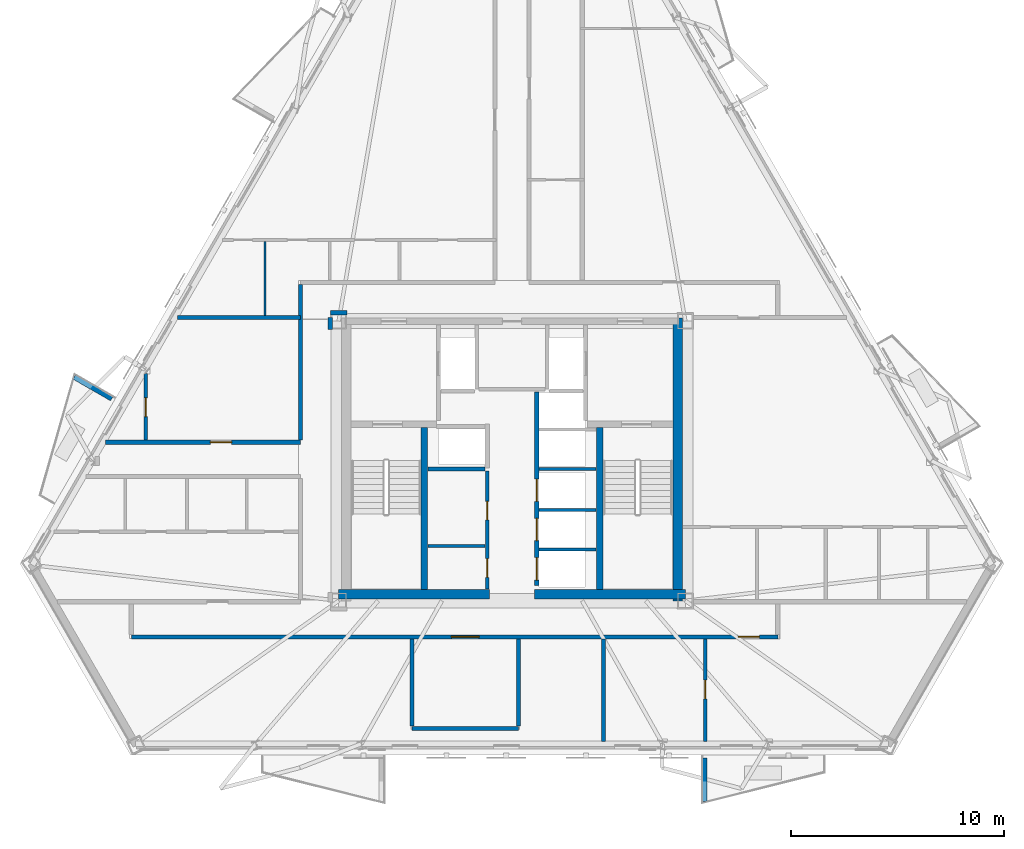
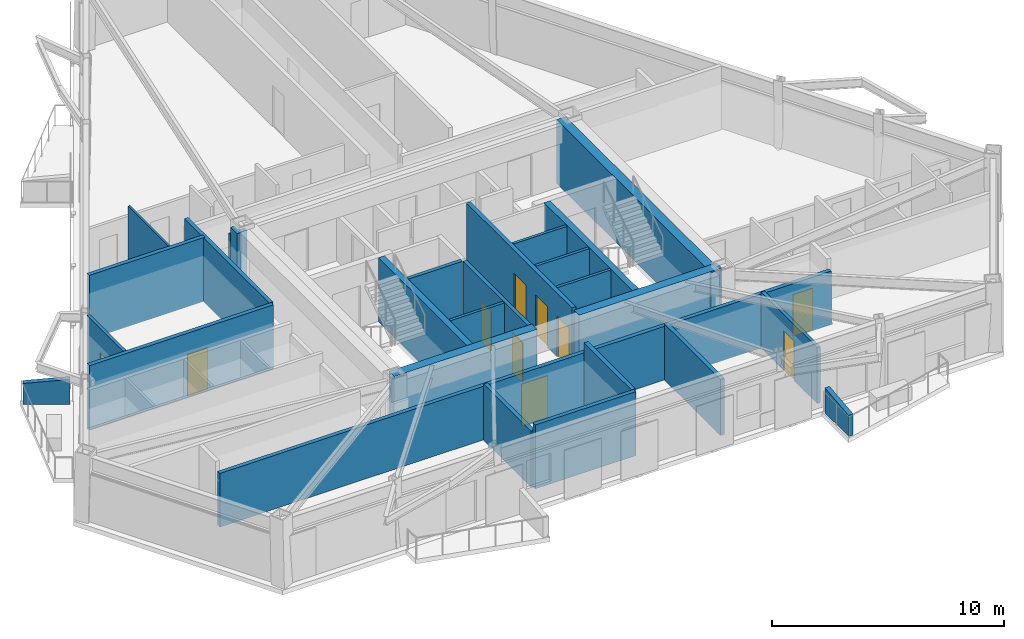
# One storey, part 3 of 9: 27 walls, 10 doors, 10 openings.
"""IFC4 building model written with IfcOpenShell, lengths in metres."""

from ifc_helpers import new_model, si_unit, direction, frame, frame_2d, origin, place, context, subcontext, project, spatial, polyline, rectangle, outline, extrude, material, layer, layer_set, type_object, element, fill, save


model = new_model("IFC4")

# Units and contexts
model_context = context("Model", 3, precision=1e-05, world=origin(), true_north=direction((0.0, 1.0)))
body_context = subcontext(model_context, "Body", "Model", "MODEL_VIEW")
ifc_project = project(units=[si_unit("LENGTHUNIT", "METRE"), si_unit("AREAUNIT", "SQUARE_METRE"), si_unit("VOLUMEUNIT", "CUBIC_METRE"), si_unit("PLANEANGLEUNIT", "RADIAN"), si_unit("MASSUNIT", "GRAM", prefix="KILO")], contexts=[model_context])

# Site, building, storey
site_placement = place(None, origin())
site = spatial("IfcSite", under=ifc_project, at=site_placement, CompositionType="ELEMENT")
building_placement = place(site_placement, origin())
building = spatial("IfcBuilding", under=site, at=building_placement, Name="Oramaril Tower", CompositionType="ELEMENT")
storey_placement = place(building_placement, frame((0.0, 0.0, 142.199951171875)))
storey = spatial("IfcBuildingStorey", under=building, at=storey_placement, Name="L37", CompositionType="ELEMENT", Elevation=142.199951171875)

# Walls
ifc_material_1 = material(Name="Concrete C40/50", Category="concrete")
ifc_layer_1 = layer(ifc_material_1, 0.22998046875)
ifc_layer_set_1 = layer_set([ifc_layer_1], Name="WT-PRP23")
wall_type_1 = type_object("IfcWallType", Name="WT-PRP23", PredefinedType="PARAPET", material=ifc_layer_set_1)
for number, where, z_axis, x_axis, name in (
    (1, (46.562744140625, 3.60205078125, 0.0), (0.0, 0.0, 1.0), (0.0, -1.0, 0.0), "L37 Trapezoidal Balcony Frame Cheek L37-BAL-S2-L"),
    (2, (18.68115234375, 20.500244140625, 0.0), (0.0, 0.0, 1.0), (-0.866042246008, 0.499970827278, 0.0), "L37 Trapezoidal Balcony Frame Cheek L37-BAL-NW2-L"),
):
    element("IfcWall", number, at=place(storey_placement, frame(where, z_axis=z_axis, x_axis=x_axis)), inside=storey, type_object=wall_type_1, Name=name, PredefinedType="PARAPET", context=body_context, shape_type="SweptSolid", body=[
        extrude(outline(polyline([(0.0, 0.0), (2.0419921875, 0.0), (2.0419921875, 1.10009765625), (0.0, 1.320068359375), (0.0, 0.0)])), frame((0.0, 0.114990234375, 0.0), z_axis=(0.0, -1.0, 0.0), x_axis=(1.0, 0.0, 0.0)), (0.0, 0.0, 1.0), 0.22998046875),
    ])
ifc_material_2 = material(Name="Acoustic Gypsum Board Partition")
ifc_layer_2 = layer(ifc_material_2, 0.10009765625)
ifc_layer_set_2 = layer_set([ifc_layer_2], Name="WT-PT10")
wall_type_2 = type_object("IfcWallType", Name="WT-PT10", PredefinedType="PARTITIONING", material=ifc_layer_set_2)
wall_1_placement = place(storey_placement, frame((25.8798828125, 24.424072265625, 0.0), z_axis=(0.0, 0.0, 1.0), x_axis=(0.0, 1.0, 0.0)))
element("IfcWall", 3, at=wall_1_placement, inside=storey, type_object=wall_type_2, Name="L37 Interior Partition PT-10", PredefinedType="PARTITIONING", context=body_context, shape_type="SweptSolid", body=[
    extrude(rectangle(XDim=3.471923828125, YDim=0.10009765625, at=frame_2d((1.73583984375, 0.0))), origin(), (0.0, 0.0, 1.0), 3.360107421875),
])
ifc_material_3 = material(Name="Acoustic Gypsum Board Partition")
ifc_layer_3 = layer(ifc_material_3, 0.139892578125)
ifc_layer_set_3 = layer_set([ifc_layer_3], Name="WT-PT14")
wall_type_3 = type_object("IfcWallType", Name="WT-PT14", PredefinedType="PARTITIONING", material=ifc_layer_set_3)
for number, where, z_axis, x_axis, name in (
    (4, (33.56005859375, 13.570068359375, 0.0), (0.0, 0.0, 1.0), (1.0, 0.0, 0.0), "L37 Freed Shaft Divider"),
    (5, (38.780029296875, 13.419921875, 0.0), (0.0, 0.0, 1.0), (1.0, 0.0, 0.0), "L37 East Lift Divider"),
    (6, (38.780029296875, 15.27001953125, 0.0), (0.0, 0.0, 1.0), (1.0, 0.0, 0.0), "L37 East Lift Divider"),
    (7, (38.780029296875, 17.199951171875, 0.0), (0.0, 0.0, 1.0), (1.0, 0.0, 0.0), "L37 East Lift Divider"),
):
    element("IfcWall", number, at=place(storey_placement, frame(where, z_axis=z_axis, x_axis=x_axis)), inside=storey, type_object=wall_type_3, Name=name, PredefinedType="PARTITIONING", context=body_context, shape_type="SweptSolid", body=[
        extrude(rectangle(XDim=2.659912109375, YDim=0.139892578125, at=frame_2d((1.330078125, 0.0))), origin(), (0.0, 0.0, 1.0), 3.360107421875),
    ])

# Wall, opening, door
ifc_material_4 = material(Name="Acoustic Gypsum Board Partition")
ifc_layer_4 = layer(ifc_material_4, 0.159912109375)
ifc_layer_set_4 = layer_set([ifc_layer_4], Name="WT-PT16")
wall_type_4 = type_object("IfcWallType", Name="WT-PT16", PredefinedType="PARTITIONING", material=ifc_layer_set_4)
wall_2_placement = place(storey_placement, frame((20.27001953125, 18.553955078125, 0.0), z_axis=(0.0, 0.0, 1.0), x_axis=(0.0, 1.0, 0.0)))
wall_2 = element("IfcWall", 8, at=wall_2_placement, inside=storey, type_object=wall_type_4, Name="L37 Interior Partition PT-16", PredefinedType="PARTITIONING", context=body_context, shape_type="SweptSolid", body=[
    extrude(rectangle(XDim=3.1357421875, YDim=0.159912109375, at=frame_2d((1.56787109375, 0.0))), origin(), (0.0, 0.0, 1.0), 3.360107421875),
])
opening_1_placement = place(wall_2_placement, frame((1.11083984375, 0.0, 0.0)))
opening_1 = element("IfcOpeningElement", 9, at=opening_1_placement, cuts=wall_2, Name="Opening D-L37-22", PredefinedType="OPENING", context=body_context, shape_type="SweptSolid", body=[
    extrude(rectangle(XDim=0.8798828125, YDim=2.080078125, at=frame_2d((0.43994140625, 1.0400390625))), frame((0.0, 0.080078125, 0.0), z_axis=(0.0, -1.0, 0.0), x_axis=(1.0, 0.0, 0.0)), (0.0, 0.0, 1.0), 0.159912109375),
])
ifc_material_5 = material(Name="FSC Brazilian Freijo Hardwood", Category="wood")
door_type_1 = type_object("IfcDoorType", Name="DT-BATH", OperationType="NOTDEFINED", PredefinedType="DOOR", material=ifc_material_5)
door_1_placement = place(opening_1_placement, origin())
door_1 = element("IfcDoor", 10, at=door_1_placement, inside=storey, type_object=door_type_1, Name="L37 Flat L37-U4 Bathroom Door D-L37-22", OperationType="SINGLE_SWING_LEFT", OverallHeight=2.080078125, OverallWidth=0.8798828125, PredefinedType="DOOR", context=body_context, shape_type="SweptSolid", body=[
    extrude(rectangle(XDim=0.8798828125, YDim=2.080078125, at=frame_2d((0.43994140625, 1.0400390625))), frame((0.0, 0.02490234375, 0.0), z_axis=(0.0, -1.0, 0.0), x_axis=(1.0, 0.0, 0.0)), (0.0, 0.0, 1.0), 0.050048828125),
])
fill(opening_1, door_1)

wall_3_placement = place(storey_placement, frame((46.590087890625, 4.3740234375, 0.0), z_axis=(0.0, 0.0, 1.0), x_axis=(0.0, 1.0, 0.0)))
wall_3 = element("IfcWall", 11, at=wall_3_placement, inside=storey, type_object=wall_type_4, Name="L37 Interior Partition PT-16", PredefinedType="PARTITIONING", context=body_context, shape_type="SweptSolid", body=[
    extrude(rectangle(XDim=4.822021484375, YDim=0.159912109375, at=frame_2d((2.4111328125, 0.0))), origin(), (0.0, 0.0, 1.0), 2.946044921875),
])
opening_2_placement = place(wall_3_placement, frame((2.010986328125, 0.0, 0.0)))
opening_2 = element("IfcOpeningElement", 12, at=opening_2_placement, cuts=wall_3, Name="Opening D-L37-25", PredefinedType="OPENING", context=body_context, shape_type="SweptSolid", body=[
    extrude(rectangle(XDim=0.8798828125, YDim=2.080078125, at=frame_2d((0.43994140625, 1.0400390625))), frame((0.0, 0.080078125, 0.0), z_axis=(0.0, -1.0, 0.0), x_axis=(1.0, 0.0, 0.0)), (0.0, 0.0, 1.0), 0.159912109375),
])
door_2_placement = place(opening_2_placement, origin())
door_2 = element("IfcDoor", 13, at=door_2_placement, inside=storey, type_object=door_type_1, Name="L37 Flat L37-U2 Bathroom Door D-L37-25", OperationType="SINGLE_SWING_RIGHT", OverallHeight=2.080078125, OverallWidth=0.8798828125, PredefinedType="DOOR", context=body_context, shape_type="SweptSolid", body=[
    extrude(rectangle(XDim=0.8798828125, YDim=2.080078125, at=frame_2d((0.43994140625, 1.0400390625))), frame((0.0, 0.02490234375, 0.0), z_axis=(0.0, -1.0, 0.0), x_axis=(1.0, 0.0, 0.0)), (0.0, 0.0, 1.0), 0.050048828125),
])
fill(opening_2, door_2)

# Wall
ifc_material_6 = material(Name="Autoclaved Cellular Concrete Block", Category="concrete")
ifc_layer_5 = layer(ifc_material_6, 0.179931640625)
ifc_layer_set_5 = layer_set([ifc_layer_5], Name="WT-PT18")
wall_type_5 = type_object("IfcWallType", Name="WT-PT18", PredefinedType="PARTITIONING", material=ifc_layer_set_5)
wall_4_placement = place(storey_placement, frame((33.56005859375, 17.199951171875, 0.0), z_axis=(0.0, 0.0, 1.0), x_axis=(1.0, 0.0, 0.0)))
element("IfcWall", 14, at=wall_4_placement, inside=storey, type_object=wall_type_5, Name="L37 High-Rise Lift H1 South Wall", PredefinedType="PARTITIONING", context=body_context, shape_type="SweptSolid", body=[
    extrude(rectangle(XDim=2.659912109375, YDim=0.179931640625, at=frame_2d((1.330078125, 0.0))), origin(), (0.0, 0.0, 1.0), 3.360107421875),
])

# Wall, openings, doors
wall_5_placement = place(storey_placement, frame((36.340087890625, 11.550048828125, 0.0), z_axis=(0.0, 0.0, 1.0), x_axis=(0.0, 1.0, 0.0)))
wall_5 = element("IfcWall", 15, at=wall_5_placement, inside=storey, type_object=wall_type_5, Name="L37 Freed Shaft Study East Wall", PredefinedType="PARTITIONING", context=body_context, shape_type="SweptSolid", body=[
    extrude(rectangle(XDim=5.550048828125, YDim=0.179931640625, at=frame_2d((2.77490234375, 0.0))), origin(), (0.0, 0.0, 1.0), 3.360107421875),
])
opening_3_placement = place(wall_5_placement, frame((0.550048828125, 0.0, 0.0)))
opening_3 = element("IfcOpeningElement", 16, at=opening_3_placement, cuts=wall_5, Name="Opening D-L37-FL1", PredefinedType="OPENING", context=body_context, shape_type="SweptSolid", body=[
    extrude(rectangle(XDim=0.8798828125, YDim=2.080078125, at=frame_2d((0.43994140625, 1.0400390625))), frame((0.0, 0.08984375, 0.0), z_axis=(0.0, -1.0, 0.0), x_axis=(1.0, 0.0, 0.0)), (0.0, 0.0, 1.0), 0.179931640625),
])
opening_4_placement = place(wall_5_placement, frame((3.25, 0.0, 0.0)))
opening_4 = element("IfcOpeningElement", 17, at=opening_4_placement, cuts=wall_5, Name="Opening D-L37-FL2", PredefinedType="OPENING", context=body_context, shape_type="SweptSolid", body=[
    extrude(rectangle(XDim=0.8798828125, YDim=2.080078125, at=frame_2d((0.43994140625, 1.0400390625))), frame((0.0, 0.08984375, 0.0), z_axis=(0.0, -1.0, 0.0), x_axis=(1.0, 0.0, 0.0)), (0.0, 0.0, 1.0), 0.179931640625),
])
door_3_placement = place(opening_3_placement, origin())
door_3 = element("IfcDoor", 18, at=door_3_placement, inside=storey, type_object=door_type_1, Name="L37 L37 Residents Tasting Dining Nook Door", OperationType="SINGLE_SWING_LEFT", OverallHeight=2.080078125, OverallWidth=0.8798828125, PredefinedType="DOOR", context=body_context, shape_type="SweptSolid", body=[
    extrude(rectangle(XDim=0.8798828125, YDim=2.080078125, at=frame_2d((0.43994140625, 1.0400390625))), frame((0.0, 0.02490234375, 0.0), z_axis=(0.0, -1.0, 0.0), x_axis=(1.0, 0.0, 0.0)), (0.0, 0.0, 1.0), 0.050048828125),
])
fill(opening_3, door_3)
door_4_placement = place(opening_4_placement, origin())
door_4 = element("IfcDoor", 19, at=door_4_placement, inside=storey, type_object=door_type_1, Name="L37 L37 Floor Co-Work Office Door", OperationType="SINGLE_SWING_RIGHT", OverallHeight=2.080078125, OverallWidth=0.8798828125, PredefinedType="DOOR", context=body_context, shape_type="SweptSolid", body=[
    extrude(rectangle(XDim=0.8798828125, YDim=2.080078125, at=frame_2d((0.43994140625, 1.0400390625))), frame((0.0, 0.02490234375, 0.0), z_axis=(0.0, -1.0, 0.0), x_axis=(1.0, 0.0, 0.0)), (0.0, 0.0, 1.0), 0.050048828125),
])
fill(opening_4, door_4)

# Wall
ifc_material_7 = material(Name="Autoclaved Cellular Concrete Block", Category="concrete")
ifc_layer_6 = layer(ifc_material_7, 0.199951171875)
ifc_layer_set_6 = layer_set([ifc_layer_6], Name="WT-PT20")
wall_type_6 = type_object("IfcWallType", Name="WT-PT20", PredefinedType="PARTITIONING", material=ifc_layer_set_6)
wall_6_placement = place(storey_placement, frame((32.800048828125, 5.0, 0.0), z_axis=(0.0, 0.0, 1.0), x_axis=(1.0, 0.0, 0.0)))
element("IfcWall", 20, at=wall_6_placement, inside=storey, type_object=wall_type_6, Name="L37 Interior Partition PT-20", PredefinedType="PARTITIONING", context=body_context, shape_type="SweptSolid", body=[
    extrude(rectangle(XDim=5.0, YDim=0.199951171875, at=frame_2d((2.5, 0.0))), origin(), (0.0, 0.0, 1.0), 3.360107421875),
])

# Wall, openings, doors
wall_7_placement = place(storey_placement, frame((19.60009765625, 9.300048828125, 0.0), z_axis=(0.0, 0.0, 1.0), x_axis=(1.0, 0.0, 0.0)))
wall_7 = element("IfcWall", 21, at=wall_7_placement, inside=storey, type_object=wall_type_6, Name="L37 Interior Partition PT-20", PredefinedType="PARTITIONING", context=body_context, shape_type="SweptSolid", body=[
    extrude(rectangle(XDim=30.39990234375, YDim=0.199951171875, at=frame_2d((15.199951171875, 0.0))), origin(), (0.0, 0.0, 1.0), 2.822021484375),
])
opening_5_placement = place(wall_7_placement, frame((15.050048828125, 0.0, 0.0)))
opening_5 = element("IfcOpeningElement", 22, at=opening_5_placement, cuts=wall_7, Name="Opening D-L37-01", PredefinedType="OPENING", context=body_context, shape_type="SweptSolid", body=[
    extrude(rectangle(XDim=1.300048828125, YDim=2.199951171875, at=frame_2d((0.64990234375, 1.10009765625))), frame((0.0, 0.10009765625, 0.0), z_axis=(0.0, -1.0, 0.0), x_axis=(1.0, 0.0, 0.0)), (0.0, 0.0, 1.0), 0.199951171875),
])
opening_6_placement = place(wall_7_placement, frame((28.534423828125, 0.0, 0.0)))
opening_6 = element("IfcOpeningElement", 23, at=opening_6_placement, cuts=wall_7, Name="Opening D-L37-02", PredefinedType="OPENING", context=body_context, shape_type="SweptSolid", body=[
    extrude(rectangle(XDim=1.0, YDim=2.179931640625, at=frame_2d((0.5, 1.08984375))), frame((0.0, 0.10009765625, 0.0), z_axis=(0.0, -1.0, 0.0), x_axis=(1.0, 0.0, 0.0)), (0.0, 0.0, 1.0), 0.199951171875),
])
ifc_material_8 = material(Name="FSC Brazilian Freijo Hardwood", Category="wood")
door_type_2 = type_object("IfcDoorType", Name="DT-APT", OperationType="NOTDEFINED", PredefinedType="DOOR", material=ifc_material_8)
door_5_placement = place(opening_6_placement, origin())
door_5 = element("IfcDoor", 24, at=door_5_placement, inside=storey, type_object=door_type_2, Name="L37 Flat L37-U2 Kitchen and Studio Apartment Door D-L37-02", OperationType="SINGLE_SWING_LEFT", OverallHeight=2.179931640625, OverallWidth=1.0, PredefinedType="DOOR", context=body_context, shape_type="SweptSolid", body=[
    extrude(rectangle(XDim=1.0, YDim=2.179931640625, at=frame_2d((0.5, 1.08984375))), frame((0.0, 0.02490234375, 0.0), z_axis=(0.0, -1.0, 0.0), x_axis=(1.0, 0.0, 0.0)), (0.0, 0.0, 1.0), 0.050048828125),
])
fill(opening_6, door_5)
ifc_material_9 = material(Name="FSC Brazilian Freijo Hardwood", Category="wood")
door_type_3 = type_object("IfcDoorType", Name="DT-COM", OperationType="NOTDEFINED", PredefinedType="DOOR", material=ifc_material_9)
door_6_placement = place(opening_5_placement, origin())
door_6 = element("IfcDoor", 25, at=door_6_placement, inside=storey, type_object=door_type_3, Name="L37 L37 Residents Floor Meeting Suite Door D-L37-01", OperationType="SINGLE_SWING_RIGHT", OverallHeight=2.199951171875, OverallWidth=1.300048828125, PredefinedType="DOOR", context=body_context, shape_type="SweptSolid", body=[
    extrude(rectangle(XDim=1.300048828125, YDim=2.199951171875, at=frame_2d((0.64990234375, 1.10009765625))), frame((0.0, 0.02490234375, 0.0), z_axis=(0.0, -1.0, 0.0), x_axis=(1.0, 0.0, 0.0)), (0.0, 0.0, 1.0), 0.050048828125),
])
fill(opening_5, door_6)

# Wall, opening, door
wall_8_placement = place(storey_placement, frame((18.388916015625, 18.449951171875, 0.0), z_axis=(0.0, 0.0, 1.0), x_axis=(1.0, 0.0, 0.0)))
wall_8 = element("IfcWall", 26, at=wall_8_placement, inside=storey, type_object=wall_type_6, Name="L37 Interior Partition PT-20", PredefinedType="PARTITIONING", context=body_context, shape_type="SweptSolid", body=[
    extrude(rectangle(XDim=9.1611328125, YDim=0.199951171875, at=frame_2d((4.58056640625, 0.0))), origin(), (0.0, 0.0, 1.0), 3.360107421875),
])
opening_7_placement = place(wall_8_placement, frame((4.926025390625, 0.0, 0.0)))
opening_7 = element("IfcOpeningElement", 27, at=opening_7_placement, cuts=wall_8, Name="Opening D-L37-13", PredefinedType="OPENING", context=body_context, shape_type="SweptSolid", body=[
    extrude(rectangle(XDim=1.0, YDim=2.179931640625, at=frame_2d((0.5, 1.08984375))), frame((0.0, 0.10009765625, 0.0), z_axis=(0.0, -1.0, 0.0), x_axis=(1.0, 0.0, 0.0)), (0.0, 0.0, 1.0), 0.199951171875),
])
door_7_placement = place(opening_7_placement, origin())
door_7 = element("IfcDoor", 28, at=door_7_placement, inside=storey, type_object=door_type_2, Name="L37 Flat L37-U4 Kitchen and Studio Apartment Door D-L37-13", OperationType="SINGLE_SWING_RIGHT", OverallHeight=2.179931640625, OverallWidth=1.0, PredefinedType="DOOR", context=body_context, shape_type="SweptSolid", body=[
    extrude(rectangle(XDim=1.0, YDim=2.179931640625, at=frame_2d((0.5, 1.08984375))), frame((0.0, 0.02490234375, 0.0), z_axis=(0.0, -1.0, 0.0), x_axis=(1.0, 0.0, 0.0)), (0.0, 0.0, 1.0), 0.050048828125),
])
fill(opening_7, door_7)

# Walls
wall_9_placement = place(storey_placement, frame((21.77783203125, 24.320068359375, 0.0), z_axis=(0.0, 0.0, 1.0), x_axis=(1.0, 0.0, 0.0)))
element("IfcWall", 29, at=wall_9_placement, inside=storey, type_object=wall_type_6, Name="L37 Interior Partition PT-20", PredefinedType="PARTITIONING", context=body_context, shape_type="SweptSolid", body=[
    extrude(rectangle(XDim=5.772216796875, YDim=0.199951171875, at=frame_2d((2.88623046875, 0.0))), origin(), (0.0, 0.0, 1.0), 3.360107421875),
])
wall_10_placement = place(storey_placement, frame((28.955078125, 24.550048828125, 0.0), z_axis=(0.0, 0.0, 1.0), x_axis=(1.0, 0.0, 0.0)))
element("IfcWall", 30, at=wall_10_placement, inside=storey, type_object=wall_type_6, Name="L37 Interior Partition PT-20", PredefinedType="PARTITIONING", context=body_context, shape_type="SweptSolid", body=[
    extrude(rectangle(XDim=0.7900390625, YDim=0.199951171875, at=frame_2d((0.39501953125, 0.0))), origin(), (0.0, 0.0, 1.0), 2.822021484375),
])
wall_11_placement = place(storey_placement, frame((27.550048828125, 18.553955078125, 0.0), z_axis=(0.0, 0.0, 1.0), x_axis=(0.0, 1.0, 0.0)))
element("IfcWall", 31, at=wall_11_placement, inside=storey, type_object=wall_type_6, Name="L37 Interior Partition PT-20", PredefinedType="PARTITIONING", context=body_context, shape_type="SweptSolid", body=[
    extrude(rectangle(XDim=7.31201171875, YDim=0.199951171875, at=frame_2d((3.656005859375, 0.0))), origin(), (0.0, 0.0, 1.0), 3.360107421875),
])
wall_12_placement = place(storey_placement, frame((28.949951171875, 23.7548828125, 0.0), z_axis=(0.0, 0.0, 1.0), x_axis=(0.0, 1.0, 0.0)))
element("IfcWall", 32, at=wall_12_placement, inside=storey, type_object=wall_type_6, Name="L37 Interior Partition PT-20", PredefinedType="PARTITIONING", context=body_context, shape_type="SweptSolid", body=[
    extrude(rectangle(XDim=0.565185546875, YDim=0.199951171875, at=frame_2d((0.28271484375, 0.0))), origin(), (0.0, 0.0, 1.0), 3.360107421875),
])
wall_13_placement = place(storey_placement, frame((32.800048828125, 5.10400390625, 0.0), z_axis=(0.0, 0.0, 1.0), x_axis=(0.0, 1.0, 0.0)))
element("IfcWall", 33, at=wall_13_placement, inside=storey, type_object=wall_type_6, Name="L37 Interior Partition PT-20", PredefinedType="PARTITIONING", context=body_context, shape_type="SweptSolid", body=[
    extrude(rectangle(XDim=4.092041015625, YDim=0.199951171875, at=frame_2d((2.0458984375, 0.0))), origin(), (0.0, 0.0, 1.0), 2.946044921875),
])
wall_14_placement = place(storey_placement, frame((37.800048828125, 5.10400390625, 0.0), z_axis=(0.0, 0.0, 1.0), x_axis=(0.0, 1.0, 0.0)))
element("IfcWall", 34, at=wall_14_placement, inside=storey, type_object=wall_type_6, Name="L37 Interior Partition PT-20", PredefinedType="PARTITIONING", context=body_context, shape_type="SweptSolid", body=[
    extrude(rectangle(XDim=4.092041015625, YDim=0.199951171875, at=frame_2d((2.0458984375, 0.0))), origin(), (0.0, 0.0, 1.0), 3.360107421875),
])
wall_15_placement = place(storey_placement, frame((41.800048828125, 4.3740234375, 0.0), z_axis=(0.0, 0.0, 1.0), x_axis=(0.0, 1.0, 0.0)))
element("IfcWall", 35, at=wall_15_placement, inside=storey, type_object=wall_type_6, Name="L37 Interior Partition PT-20", PredefinedType="PARTITIONING", context=body_context, shape_type="SweptSolid", body=[
    extrude(rectangle(XDim=4.822021484375, YDim=0.199951171875, at=frame_2d((2.4111328125, 0.0))), origin(), (0.0, 0.0, 1.0), 2.946044921875),
])
ifc_material_10 = material(Name="Concrete C50/60", Category="concrete")
ifc_layer_7 = layer(ifc_material_10, 0.300048828125)
ifc_layer_set_7 = layer_set([ifc_layer_7], Name="WT-SH30")
wall_type_7 = type_object("IfcWallType", Name="WT-SH30", PredefinedType="SHEAR", material=ifc_layer_set_7)
for number, where, z_axis, x_axis, name in (
    (36, (33.3798828125, 11.5400390625, 0.0), (0.0, 0.0, 1.0), (0.0, 1.0, 0.0), "L37 Core Shear Wall CW-ST1E"),
    (37, (41.6201171875, 11.5400390625, 0.0), (0.0, 0.0, 1.0), (0.0, 1.0, 0.0), "L37 Core Shear Wall CW-ST2W"),
):
    element("IfcWall", number, at=place(storey_placement, frame(where, z_axis=z_axis, x_axis=x_axis)), inside=storey, type_object=wall_type_7, Name=name, PredefinedType="SHEAR", context=body_context, shape_type="SweptSolid", body=[
        extrude(rectangle(XDim=7.619873046875, YDim=0.300048828125, at=frame_2d((3.81005859375, 0.0))), origin(), (0.0, 0.0, 1.0), 3.360107421875),
    ])
ifc_material_11 = material(Name="Concrete C50/60", Category="concrete")
ifc_layer_8 = layer(ifc_material_11, 0.449951171875)
ifc_layer_set_8 = layer_set([ifc_layer_8], Name="WT-SH45")
wall_type_8 = type_object("IfcWallType", Name="WT-SH45", PredefinedType="SHEAR", material=ifc_layer_set_8)
wall_16_placement = place(storey_placement, frame((45.284912109375, 11.0, 0.0), z_axis=(0.0, 0.0, 1.0), x_axis=(0.0, 1.0, 0.0)))
element("IfcWall", 38, at=wall_16_placement, inside=storey, type_object=wall_type_8, Name="L37 Core Shear Wall CW-E", PredefinedType="SHEAR", context=body_context, shape_type="SweptSolid", body=[
    extrude(rectangle(XDim=13.300048828125, YDim=0.449951171875, at=frame_2d((6.64990234375, 0.0))), origin(), (0.0, 0.0, 1.0), 3.360107421875),
])
for number, where, z_axis, x_axis, name in (
    (39, (29.35009765625, 11.31494140625, 0.0), (0.0, 0.0, 1.0), (1.0, 0.0, 0.0), "L37 Core Shear Wall CW-SW"),
    (40, (38.550048828125, 11.31494140625, 0.0), (0.0, 0.0, 1.0), (1.0, 0.0, 0.0), "L37 Core Shear Wall CW-SE"),
):
    element("IfcWall", number, at=place(storey_placement, frame(where, z_axis=z_axis, x_axis=x_axis)), inside=storey, type_object=wall_type_8, Name=name, PredefinedType="SHEAR", context=body_context, shape_type="SweptSolid", body=[
        extrude(rectangle(XDim=7.099853515625, YDim=0.449951171875, at=frame_2d((3.5498046875, 0.0))), origin(), (0.0, 0.0, 1.0), 3.360107421875),
    ])

# Wall, openings, doors
ifc_material_12 = material(Name="Autoclaved Cellular Concrete Block", Category="concrete")
ifc_layer_9 = layer(ifc_material_12, 0.199951171875)
ifc_layer_set_9 = layer_set([ifc_layer_9], Name="WT-SHF20")
wall_type_9 = type_object("IfcWallType", Name="WT-SHF20", PredefinedType="PARTITIONING", material=ifc_layer_set_9)
wall_17_placement = place(storey_placement, frame((38.659912109375, 11.719970703125, 0.0), z_axis=(0.0, 0.0, 1.0), x_axis=(0.0, 1.0, 0.0)))
wall_17 = element("IfcWall", 41, at=wall_17_placement, inside=storey, type_object=wall_type_9, Name="L37 East Lift Bank Front Wall", PredefinedType="PARTITIONING", context=body_context, shape_type="SweptSolid", body=[
    extrude(rectangle(XDim=9.10009765625, YDim=0.199951171875, at=frame_2d((4.550048828125, 0.0))), origin(), (0.0, 0.0, 1.0), 3.360107421875),
])
opening_8_placement = place(wall_17_placement, frame((0.2548828125, 0.0, 0.0)))
opening_8 = element("IfcOpeningElement", 42, at=opening_8_placement, cuts=wall_17, Name="Opening LD-L37-LP-M1", PredefinedType="OPENING", context=body_context, shape_type="SweptSolid", body=[
    extrude(rectangle(XDim=1.050048828125, YDim=2.14990234375, at=frame_2d((0.52490234375, 1.074951171875))), frame((0.0, 0.10009765625, 0.0), z_axis=(0.0, -1.0, 0.0), x_axis=(1.0, 0.0, 0.0)), (0.0, 0.0, 1.0), 0.199951171875),
])
opening_9_placement = place(wall_17_placement, frame((2.10498046875, 0.0, 0.0)))
opening_9 = element("IfcOpeningElement", 43, at=opening_9_placement, cuts=wall_17, Name="Opening LD-L37-LP-M2", PredefinedType="OPENING", context=body_context, shape_type="SweptSolid", body=[
    extrude(rectangle(XDim=1.050048828125, YDim=2.14990234375, at=frame_2d((0.52490234375, 1.074951171875))), frame((0.0, 0.10009765625, 0.0), z_axis=(0.0, -1.0, 0.0), x_axis=(1.0, 0.0, 0.0)), (0.0, 0.0, 1.0), 0.199951171875),
])
opening_10_placement = place(wall_17_placement, frame((3.955078125, 0.0, 0.0)))
opening_10 = element("IfcOpeningElement", 44, at=opening_10_placement, cuts=wall_17, Name="Opening LD-L37-LP-M3", PredefinedType="OPENING", context=body_context, shape_type="SweptSolid", body=[
    extrude(rectangle(XDim=1.050048828125, YDim=2.14990234375, at=frame_2d((0.52490234375, 1.074951171875))), frame((0.0, 0.10009765625, 0.0), z_axis=(0.0, -1.0, 0.0), x_axis=(1.0, 0.0, 0.0)), (0.0, 0.0, 1.0), 0.199951171875),
])
ifc_material_13 = material(Name="Stainless Steel 316L", Category="steel")
door_type_4 = type_object("IfcDoorType", Name="DT-LD2", OperationType="NOTDEFINED", PredefinedType="DOOR", material=ifc_material_13)
door_8_placement = place(opening_8_placement, origin())
door_8 = element("IfcDoor", 45, at=door_8_placement, inside=storey, type_object=door_type_4, Name="L37 Lift LP-M1 Sliding Landing Door", OperationType="SLIDING_TO_RIGHT", OverallHeight=2.14990234375, OverallWidth=1.050048828125, PredefinedType="DOOR", context=body_context, shape_type="SweptSolid", body=[
    extrude(rectangle(XDim=1.050048828125, YDim=2.14990234375, at=frame_2d((0.52490234375, 1.074951171875))), frame((0.0, 0.02490234375, 0.0), z_axis=(0.0, -1.0, 0.0), x_axis=(1.0, 0.0, 0.0)), (0.0, 0.0, 1.0), 0.050048828125),
])
fill(opening_8, door_8)
door_9_placement = place(opening_9_placement, origin())
door_9 = element("IfcDoor", 46, at=door_9_placement, inside=storey, type_object=door_type_4, Name="L37 Lift LP-M2 Sliding Landing Door", OperationType="SLIDING_TO_LEFT", OverallHeight=2.14990234375, OverallWidth=1.050048828125, PredefinedType="DOOR", context=body_context, shape_type="SweptSolid", body=[
    extrude(rectangle(XDim=1.050048828125, YDim=2.14990234375, at=frame_2d((0.52490234375, 1.074951171875))), frame((0.0, 0.02490234375, 0.0), z_axis=(0.0, -1.0, 0.0), x_axis=(1.0, 0.0, 0.0)), (0.0, 0.0, 1.0), 0.050048828125),
])
fill(opening_9, door_9)
door_10_placement = place(opening_10_placement, origin())
door_10 = element("IfcDoor", 47, at=door_10_placement, inside=storey, type_object=door_type_4, Name="L37 Lift LP-M3 Sliding Landing Door", OperationType="SLIDING_TO_RIGHT", OverallHeight=2.14990234375, OverallWidth=1.050048828125, PredefinedType="DOOR", context=body_context, shape_type="SweptSolid", body=[
    extrude(rectangle(XDim=1.050048828125, YDim=2.14990234375, at=frame_2d((0.52490234375, 1.074951171875))), frame((0.0, 0.02490234375, 0.0), z_axis=(0.0, -1.0, 0.0), x_axis=(1.0, 0.0, 0.0)), (0.0, 0.0, 1.0), 0.050048828125),
])
fill(opening_10, door_10)

save(model, "model.ifc")
